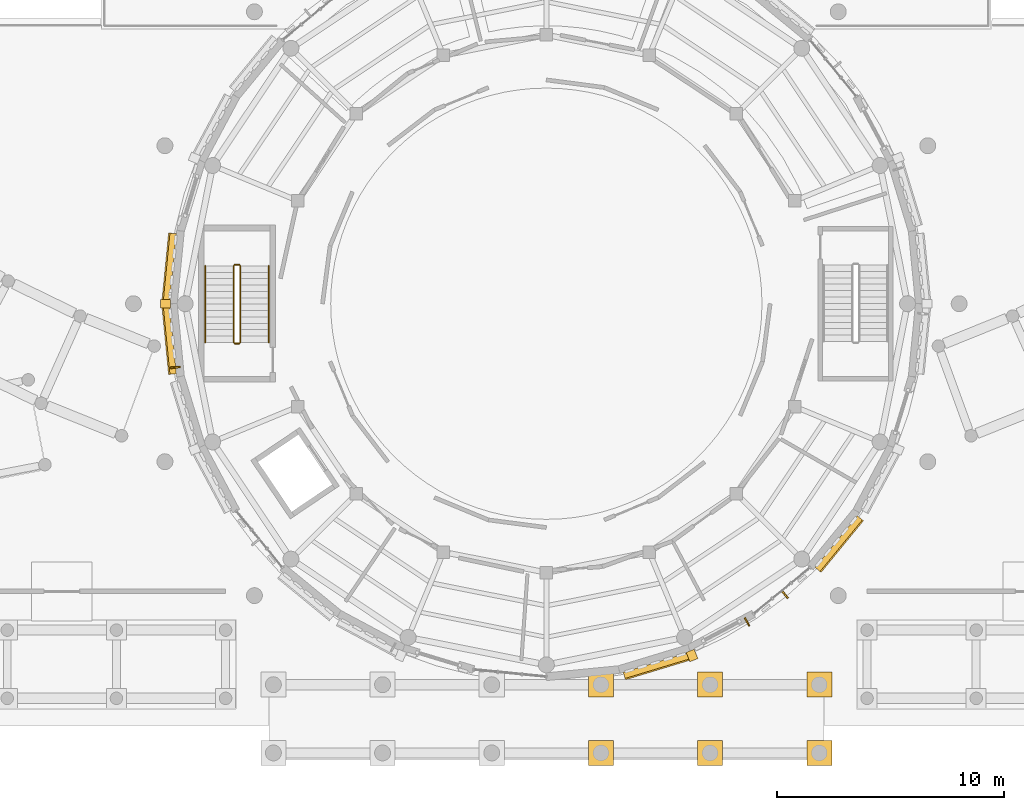
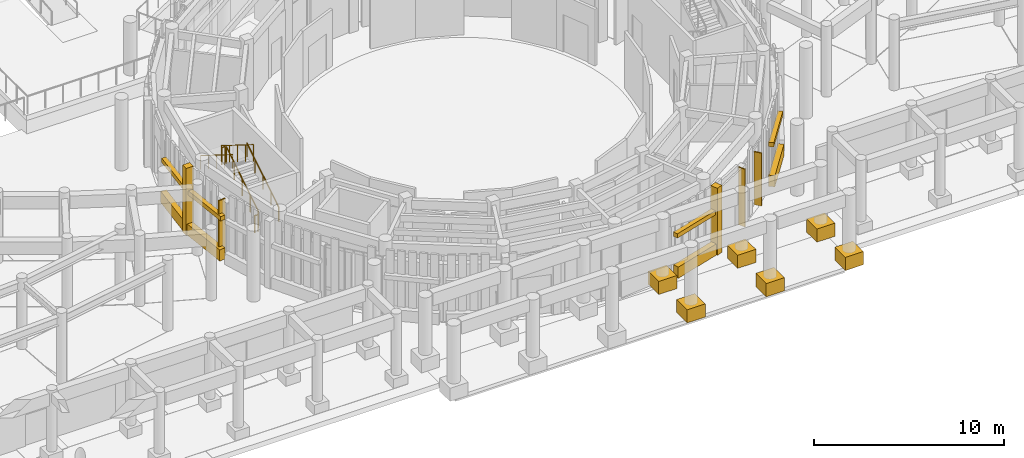
# One storey, part 74 of 94: 16 coverings, 6 railings, 3 shading devices.
"""IFC4 building model written with IfcOpenShell, lengths in metres."""

from ifc_helpers import new_model, si_unit, direction, frame, origin, origin_2d, place, context, subcontext, project, spatial, rectangle, circle, extrude, material, layer, layer_set, type_object, element, save


model = new_model("IFC4")

# Units and contexts
model_context = context("Model", 3, precision=1e-05, world=origin(), true_north=direction((0.0, 1.0)))
body_context = subcontext(model_context, "Body", "Model", "MODEL_VIEW")
ifc_project = project(units=[si_unit("LENGTHUNIT", "METRE"), si_unit("AREAUNIT", "SQUARE_METRE"), si_unit("VOLUMEUNIT", "CUBIC_METRE"), si_unit("PLANEANGLEUNIT", "RADIAN"), si_unit("MASSUNIT", "GRAM", prefix="KILO")], contexts=[model_context])

# Site, building, storey
site_placement = place(None, origin())
site = spatial("IfcSite", under=ifc_project, at=site_placement, CompositionType="ELEMENT")
building_placement = place(site_placement, origin())
building = spatial("IfcBuilding", under=site, at=building_placement, Name="Aldenvaro Health Centre", CompositionType="ELEMENT")
storey_placement = place(building_placement, origin())
storey = spatial("IfcBuildingStorey", under=building, at=storey_placement, Name="L00", CompositionType="ELEMENT", Elevation=0.0)

# Coverings
ifc_material_1 = material(Name="Honed Sonoran Buff Limestone", Category="masonry")
ifc_layer = layer(ifc_material_1, 0.280029296875, Name="Honed Sonoran Buff Limestone", Category="masonry")
ifc_layer_set = layer_set([ifc_layer], Name="Honed Sonoran Buff Limestone")
covering_type = type_object("IfcCoveringType", Name="COV-CRN-STN", PredefinedType="CLADDING", material=ifc_layer_set)
covering_1_placement = place(storey_placement, frame((99.87890625, 9.429931640625, 0.0), z_axis=(0.0, 0.0, 1.0), x_axis=(-0.634168850528, -0.773194586776, 0.0)))
element("IfcCovering", 1, at=covering_1_placement, inside=storey, type_object=covering_type, Name="D1 L00 Rusticated Limestone Plinth 4.1", PredefinedType="CLADDING", context=body_context, shape_type="SweptSolid", body=[
    extrude(rectangle(XDim=2.93505859375, YDim=0.340087890625, at=origin_2d()), origin(), (0.0, 0.0, 1.0), 0.719970703125),
])
covering_2_placement = place(storey_placement, frame((99.85595703125, 9.448974609375, 2.5498046875), z_axis=(0.0, 0.0, 1.0), x_axis=(-0.634168850528, -0.773194586776, 0.0)))
element("IfcCovering", 2, at=covering_2_placement, inside=storey, type_object=covering_type, Name="D1 L00 Rusticated Limestone Plinth 4.2", PredefinedType="CLADDING", context=body_context, shape_type="SweptSolid", body=[
    extrude(rectangle(XDim=2.93505859375, YDim=0.280029296875, at=origin_2d()), origin(), (0.0, 0.0, 1.0), 0.280029296875),
])
covering_3_placement = place(storey_placement, frame((91.8359375, 4.055908203125, 0.0), z_axis=(0.0, 0.0, 1.0), x_axis=(-0.95697469172, -0.290171396605, 0.0)))
element("IfcCovering", 3, at=covering_3_placement, inside=storey, type_object=covering_type, Name="D1 L00 Rusticated Limestone Plinth 7.1", PredefinedType="CLADDING", context=body_context, shape_type="SweptSolid", body=[
    extrude(rectangle(XDim=2.93505859375, YDim=0.340087890625, at=origin_2d()), origin(), (0.0, 0.0, 1.0), 0.719970703125),
])
covering_4_placement = place(storey_placement, frame((91.826904296875, 4.0849609375, 2.5498046875), z_axis=(0.0, 0.0, 1.0), x_axis=(-0.95697469172, -0.290171396605, 0.0)))
element("IfcCovering", 4, at=covering_4_placement, inside=storey, type_object=covering_type, Name="D1 L00 Rusticated Limestone Plinth 7.2", PredefinedType="CLADDING", context=body_context, shape_type="SweptSolid", body=[
    extrude(rectangle(XDim=2.93505859375, YDim=0.280029296875, at=origin_2d()), origin(), (0.0, 0.0, 1.0), 0.280029296875),
])
covering_5_placement = place(storey_placement, frame((93.406005859375, 4.533935546875, -0.00048828125), z_axis=(0.0, 0.0, 1.0), x_axis=(0.382674902345, -0.923883065715, 0.0)))
element("IfcCovering", 5, at=covering_5_placement, inside=storey, type_object=covering_type, Name="D1 L00 Engaged Classical Limestone Pilaster 04", PredefinedType="CLADDING", context=body_context, shape_type="SweptSolid", body=[
    extrude(rectangle(XDim=0.43994140625, YDim=0.3798828125, at=origin_2d()), origin(), (0.0, 0.0, 1.0), 4.304931640625),
])
covering_6_placement = place(storey_placement, frame((70.4189453125, 18.366943359375, 0.0), z_axis=(0.0, 0.0, 1.0), x_axis=(-0.097994340783, 0.995186971968, 0.0)))
element("IfcCovering", 6, at=covering_6_placement, inside=storey, type_object=covering_type, Name="D1 L00 Rusticated Limestone Plinth 16.1", PredefinedType="CLADDING", context=body_context, shape_type="SweptSolid", body=[
    extrude(rectangle(XDim=2.93408203125, YDim=0.340087890625, at=origin_2d()), origin(), (0.0, 0.0, 1.0), 0.719970703125),
])
covering_7_placement = place(storey_placement, frame((70.448974609375, 18.3701171875, 2.5498046875), z_axis=(0.0, 0.0, 1.0), x_axis=(-0.097994340783, 0.995186971968, 0.0)))
element("IfcCovering", 7, at=covering_7_placement, inside=storey, type_object=covering_type, Name="D1 L00 Rusticated Limestone Plinth 16.2", PredefinedType="CLADDING", context=body_context, shape_type="SweptSolid", body=[
    extrude(rectangle(XDim=2.93408203125, YDim=0.280029296875, at=origin_2d()), origin(), (0.0, 0.0, 1.0), 0.280029296875),
])
covering_8_placement = place(storey_placement, frame((70.4189453125, 21.633056640625, 0.0), z_axis=(0.0, 0.0, 1.0), x_axis=(0.097994340783, 0.995186971968, 0.0)))
element("IfcCovering", 8, at=covering_8_placement, inside=storey, type_object=covering_type, Name="D1 L00 Rusticated Limestone Plinth 17.1", PredefinedType="CLADDING", context=body_context, shape_type="SweptSolid", body=[
    extrude(rectangle(XDim=2.93408203125, YDim=0.340087890625, at=origin_2d()), origin(), (0.0, 0.0, 1.0), 0.719970703125),
])
covering_9_placement = place(storey_placement, frame((70.448974609375, 21.6298828125, 2.5498046875), z_axis=(0.0, 0.0, 1.0), x_axis=(0.097994340783, 0.995186971968, 0.0)))
element("IfcCovering", 9, at=covering_9_placement, inside=storey, type_object=covering_type, Name="D1 L00 Rusticated Limestone Plinth 17.2", PredefinedType="CLADDING", context=body_context, shape_type="SweptSolid", body=[
    extrude(rectangle(XDim=2.93408203125, YDim=0.280029296875, at=origin_2d()), origin(), (0.0, 0.0, 1.0), 0.280029296875),
])
covering_10_placement = place(storey_placement, frame((70.260009765625, 20.0, -0.00048828125), z_axis=(0.0, 0.0, 1.0), x_axis=(-1.0, 0.0, 0.0)))
element("IfcCovering", 10, at=covering_10_placement, inside=storey, type_object=covering_type, Name="D1 L00 Engaged Classical Limestone Pilaster 09", PredefinedType="CLADDING", context=body_context, shape_type="SweptSolid", body=[
    extrude(rectangle(XDim=0.43994140625, YDim=0.3798828125, at=origin_2d()), origin(), (0.0, 0.0, 1.0), 4.304931640625),
])
for number, where, z_axis, x_axis, name in (
    (11, (89.39990234375, 0.25, 0.0), (0.0, 0.0, 1.0), (1.0, 0.0, 0.0), "Hexastyle Portico Classical Column Pedestal 7"),
    (12, (89.39990234375, 3.25, 0.0), (0.0, 0.0, 1.0), (1.0, 0.0, 0.0), "Hexastyle Portico Classical Column Pedestal 8"),
    (13, (94.199951171875, 0.25, 0.0), (0.0, 0.0, 1.0), (1.0, 0.0, 0.0), "Hexastyle Portico Classical Column Pedestal 9"),
    (14, (94.199951171875, 3.25, 0.0), (0.0, 0.0, 1.0), (1.0, 0.0, 0.0), "Hexastyle Portico Classical Column Pedestal 10"),
    (15, (99.0, 0.25, 0.0), (0.0, 0.0, 1.0), (1.0, 0.0, 0.0), "Hexastyle Portico Classical Column Pedestal 11"),
    (16, (99.0, 3.25, 0.0), (0.0, 0.0, 1.0), (1.0, 0.0, 0.0), "Hexastyle Portico Classical Column Pedestal 12"),
):
    element("IfcCovering", number, at=place(storey_placement, frame(where, z_axis=z_axis, x_axis=x_axis)), inside=storey, type_object=covering_type, Name=name, PredefinedType="CLADDING", context=body_context, shape_type="SweptSolid", body=[
        extrude(rectangle(XDim=1.10009765625, YDim=1.10009765625, at=origin_2d()), origin(), (0.0, 0.0, 1.0), 0.840087890625),
    ])

# Railings
ifc_material_2 = material(Name="Painted Architectural Steel", Category="steel")
railing_type_1 = type_object("IfcRailingType", Name="RL-BAL-INT", PredefinedType="BALUSTRADE", material=ifc_material_2)
railing_1_placement = place(storey_placement, frame((73.550048828125, 18.300048828125, 0.175048828125)))
element("IfcRailing", 17, at=railing_1_placement, inside=storey, type_object=railing_type_1, Name="L00 ST-01 stair guard 1", PredefinedType="BALUSTRADE", context=body_context, shape_type="SweptSolid", body=[
    extrude(circle(Radius=0.02392578125, at=origin_2d()), frame((0.0, 0.0, 1.076171875), z_axis=(0.0, 0.848005227453, 0.529987862325), x_axis=(-1.0, 0.0, 0.0)), (0.0, 0.0, 1.0), 3.962158203125),
    extrude(circle(Radius=0.02099609375, at=origin_2d()), origin(), (0.0, 0.0, 1.0), 1.052001953125),
    extrude(circle(Radius=0.02099609375, at=origin_2d()), frame((0.0, 0.83984375, 0.52490234375)), (0.0, 0.0, 1.0), 1.052001953125),
    extrude(circle(Radius=0.02099609375, at=origin_2d()), frame((0.0, 1.679931640625, 1.0498046875)), (0.0, 0.0, 1.0), 1.052001953125),
    extrude(circle(Radius=0.02099609375, at=origin_2d()), frame((0.0, 2.52001953125, 1.574951171875)), (0.0, 0.0, 1.0), 1.052001953125),
    extrude(circle(Radius=0.02099609375, at=origin_2d()), frame((0.0, 3.35986328125, 2.099853515625)), (0.0, 0.0, 1.0), 1.052001953125),
])
railing_2_placement = place(storey_placement, frame((73.5, 21.7099609375, 2.27490234375)))
element("IfcRailing", 18, at=railing_2_placement, inside=storey, type_object=railing_type_1, Name="L00 ST-01 stair guard 2", PredefinedType="BALUSTRADE", context=body_context, shape_type="SweptSolid", body=[
    extrude(circle(Radius=0.02392578125, at=origin_2d()), frame((0.0, 0.0, 1.076171875), z_axis=(-1.0, 0.0, 0.0), x_axis=(0.0, -1.0, 0.0)), (0.0, 0.0, 1.0), 0.199951171875),
    extrude(circle(Radius=0.02099609375, at=origin_2d()), origin(), (0.0, 0.0, 1.0), 1.052001953125),
    extrude(circle(Radius=0.02099609375, at=origin_2d()), frame((-0.199951171875, 0.0, 0.0)), (0.0, 0.0, 1.0), 1.052001953125),
])
railing_3_placement = place(storey_placement, frame((73.25, 21.659912109375, 2.449951171875)))
element("IfcRailing", 19, at=railing_3_placement, inside=storey, type_object=railing_type_1, Name="L00 ST-01 stair guard 3", PredefinedType="BALUSTRADE", context=body_context, shape_type="SweptSolid", body=[
    extrude(circle(Radius=0.02392578125, at=origin_2d()), frame((0.0, 0.0, 1.076171875), z_axis=(0.0, -0.847977533471, 0.530032171408), x_axis=(1.0, 0.0, 0.0)), (0.0, 0.0, 1.0), 3.962158203125),
    extrude(circle(Radius=0.02099609375, at=origin_2d()), origin(), (0.0, 0.0, 1.0), 1.052001953125),
    extrude(circle(Radius=0.02099609375, at=origin_2d()), frame((0.0, -0.83984375, 0.52490234375)), (0.0, 0.0, 1.0), 1.052001953125),
    extrude(circle(Radius=0.02099609375, at=origin_2d()), frame((0.0, -1.679931640625, 1.050048828125)), (0.0, 0.0, 1.0), 1.052001953125),
    extrude(circle(Radius=0.02099609375, at=origin_2d()), frame((0.0, -2.52001953125, 1.5751953125)), (0.0, 0.0, 1.0), 1.052001953125),
    extrude(circle(Radius=0.02099609375, at=origin_2d()), frame((0.0, -3.35986328125, 2.10009765625)), (0.0, 0.0, 1.0), 1.052001953125),
])
railing_4_placement = place(storey_placement, frame((73.5, 18.25, 0.0)))
element("IfcRailing", 20, at=railing_4_placement, inside=storey, type_object=railing_type_1, Name="L00 ST-01 stair guard 4", PredefinedType="BALUSTRADE", context=body_context, shape_type="SweptSolid", body=[
    extrude(circle(Radius=0.02392578125, at=origin_2d()), frame((0.0, 0.0, 1.076171875), z_axis=(-1.0, 0.0, 0.0), x_axis=(0.0, -1.0, 0.0)), (0.0, 0.0, 1.0), 0.199951171875),
    extrude(circle(Radius=0.02099609375, at=origin_2d()), origin(), (0.0, 0.0, 1.0), 1.052001953125),
    extrude(circle(Radius=0.02099609375, at=origin_2d()), frame((-0.199951171875, 0.0, 0.0)), (0.0, 0.0, 1.0), 1.052001953125),
])
railing_type_2 = type_object("IfcRailingType", Name="RL-HND-INT", PredefinedType="HANDRAIL", material=ifc_material_2)
railing_5_placement = place(storey_placement, frame((74.800048828125, 18.300048828125, 0.175048828125)))
element("IfcRailing", 21, at=railing_5_placement, inside=storey, type_object=railing_type_2, Name="L00 ST-01 stair handrail 1", PredefinedType="HANDRAIL", context=body_context, shape_type="SweptSolid", body=[
    extrude(circle(Radius=0.02392578125, at=origin_2d()), frame((0.0, 0.0, 0.8759765625), z_axis=(0.0, 0.848005227453, 0.529987862325), x_axis=(-1.0, 0.0, 0.0)), (0.0, 0.0, 1.0), 3.962158203125),
    extrude(circle(Radius=0.02099609375, at=origin_2d()), origin(), (0.0, 0.0, 1.0), 0.851806640625),
    extrude(circle(Radius=0.02099609375, at=origin_2d()), frame((0.0, 0.83984375, 0.52490234375)), (0.0, 0.0, 1.0), 0.851806640625),
    extrude(circle(Radius=0.02099609375, at=origin_2d()), frame((0.0, 1.679931640625, 1.0498046875)), (0.0, 0.0, 1.0), 0.851806640625),
    extrude(circle(Radius=0.02099609375, at=origin_2d()), frame((0.0, 2.52001953125, 1.574951171875)), (0.0, 0.0, 1.0), 0.851806640625),
    extrude(circle(Radius=0.02099609375, at=origin_2d()), frame((0.0, 3.35986328125, 2.099853515625)), (0.0, 0.0, 1.0), 0.851806640625),
])
railing_6_placement = place(storey_placement, frame((72.0, 21.659912109375, 2.449951171875)))
element("IfcRailing", 22, at=railing_6_placement, inside=storey, type_object=railing_type_2, Name="L00 ST-01 stair handrail 2", PredefinedType="HANDRAIL", context=body_context, shape_type="SweptSolid", body=[
    extrude(circle(Radius=0.02392578125, at=origin_2d()), frame((0.0, 0.0, 0.8759765625), z_axis=(0.0, -0.847977533471, 0.530032171408), x_axis=(1.0, 0.0, 0.0)), (0.0, 0.0, 1.0), 3.962158203125),
    extrude(circle(Radius=0.02099609375, at=origin_2d()), origin(), (0.0, 0.0, 1.0), 0.851806640625),
    extrude(circle(Radius=0.02099609375, at=origin_2d()), frame((0.0, -0.83984375, 0.52490234375)), (0.0, 0.0, 1.0), 0.851806640625),
    extrude(circle(Radius=0.02099609375, at=origin_2d()), frame((0.0, -1.679931640625, 1.050048828125)), (0.0, 0.0, 1.0), 0.851806640625),
    extrude(circle(Radius=0.02099609375, at=origin_2d()), frame((0.0, -2.52001953125, 1.5751953125)), (0.0, 0.0, 1.0), 0.851806640625),
    extrude(circle(Radius=0.02099609375, at=origin_2d()), frame((0.0, -3.35986328125, 2.10009765625)), (0.0, 0.0, 1.0), 0.851806640625),
])

# Shading devices
ifc_material_3 = material(Name="Douglas Fir Exterior Glulam GL28h", Category="wood")
shading_device_type_1 = type_object("IfcShadingDeviceType", Name="SHD-FIN-340", PredefinedType="USERDEFINED", material=ifc_material_3)
shading_device_1_placement = place(storey_placement, frame((97.487060546875, 7.220947265625, -0.02001953125), z_axis=(0.0, 0.0, 1.0), x_axis=(-0.773194586776, -0.634168850528, 0.0)))
element("IfcShadingDevice", 23, at=shading_device_1_placement, inside=storey, type_object=shading_device_type_1, Name="D1 L00 vertical timber fin 5.0", ObjectType="FIN", PredefinedType="USERDEFINED", context=body_context, shape_type="SweptSolid", body=[
    extrude(rectangle(XDim=0.074951171875, YDim=0.419921875, at=origin_2d()), origin(), (0.0, 0.0, 1.0), 3.39990234375),
])
shading_device_type_2 = type_object("IfcShadingDeviceType", Name="SHD-FIN-380", PredefinedType="USERDEFINED", material=ifc_material_3)
shading_device_2_placement = place(storey_placement, frame((70.699951171875, 17.201904296875, -0.0205078125), z_axis=(0.0, 0.0, 1.0), x_axis=(-0.097994340783, 0.995186971968, 0.0)))
element("IfcShadingDevice", 24, at=shading_device_2_placement, inside=storey, type_object=shading_device_type_2, Name="D1 L00 Douglas fir fin 16.1", ObjectType="FIN", PredefinedType="USERDEFINED", context=body_context, shape_type="SweptSolid", body=[
    extrude(rectangle(XDim=0.074951171875, YDim=0.419921875, at=origin_2d()), origin(), (0.0, 0.0, 1.0), 3.698974609375),
])
shading_device_type_3 = type_object("IfcShadingDeviceType", Name="SHD-FIN-455", PredefinedType="USERDEFINED", material=ifc_material_3)
shading_device_3_placement = place(storey_placement, frame((95.822998046875, 6.011962890625, -0.0205078125), z_axis=(0.0, 0.0, 1.0), x_axis=(-0.88183578132, -0.471556629455, 0.0)))
element("IfcShadingDevice", 25, at=shading_device_3_placement, inside=storey, type_object=shading_device_type_3, Name="D1 L00 Douglas fir fin 6.1", ObjectType="FIN", PredefinedType="USERDEFINED", context=body_context, shape_type="SweptSolid", body=[
    extrude(rectangle(XDim=0.06494140625, YDim=0.419921875, at=origin_2d()), origin(), (0.0, 0.0, 1.0), 3.698974609375),
])

save(model, "model.ifc")
